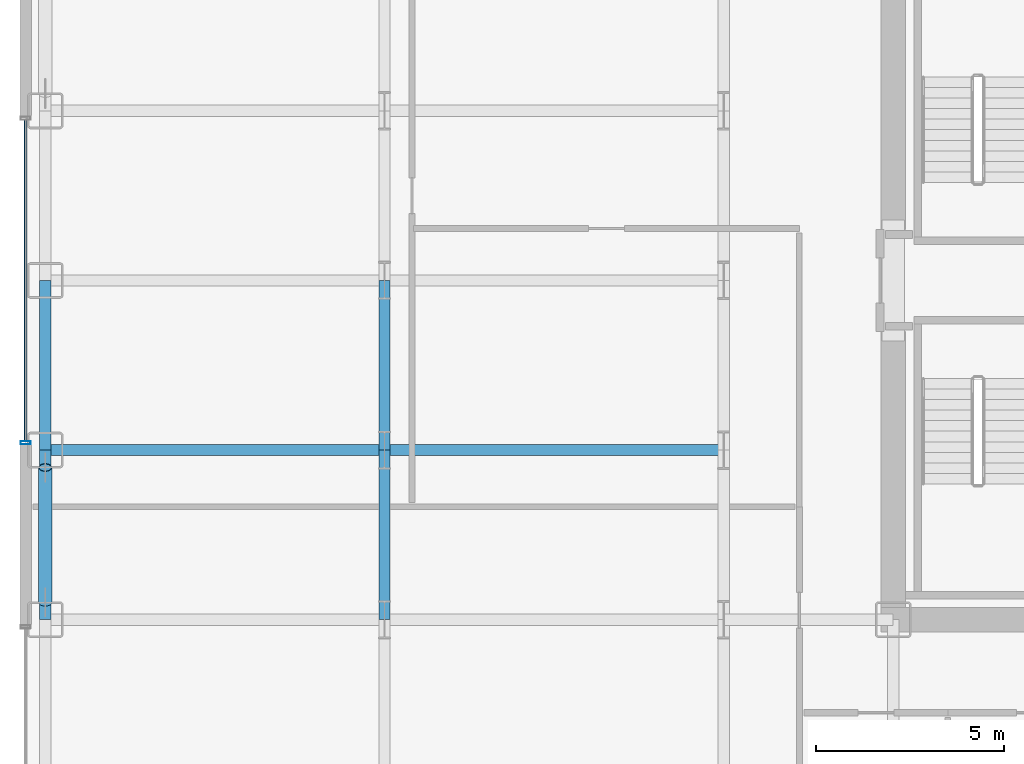
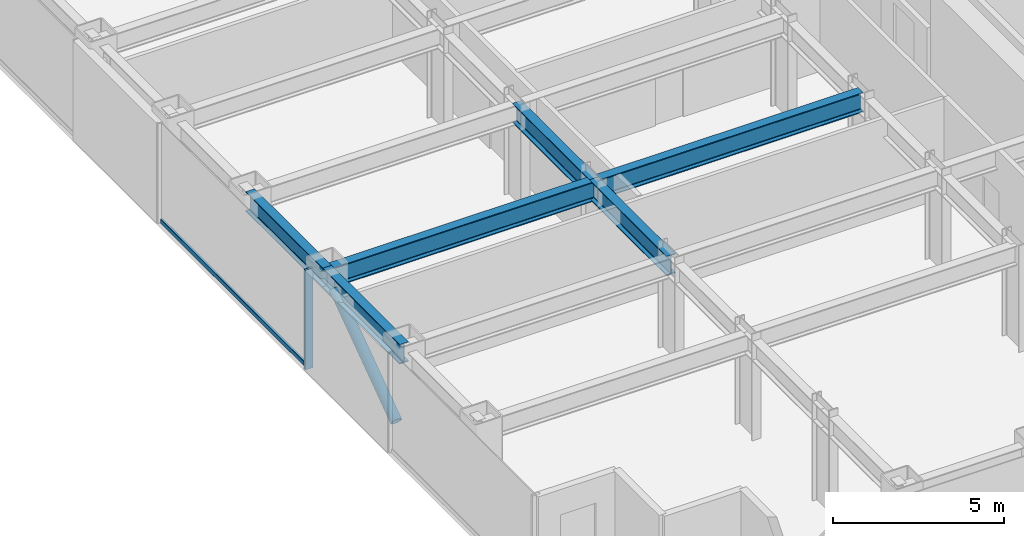
# One storey, part 5 of 29: 6 beams, 3 members, 1 element without a shape of its own.
"""IFC4 building model written with IfcOpenShell, lengths in metres."""

from ifc_helpers import new_model, si_unit, direction, frame, origin, origin_2d, place, context, subcontext, project, spatial, hollow_rectangle, hollow_circle, i_section, extrude, source, transform, mapped, material, layer, layer_set, material_profile, profile_set, type_object, element, aggregate, save


model = new_model("IFC4")

# Units and contexts
model_context = context("Model", 3, precision=1e-05, world=origin(), true_north=direction((0.0, 1.0)))
body_context = subcontext(model_context, "Body", "Model", "MODEL_VIEW")
ifc_project = project(units=[si_unit("LENGTHUNIT", "METRE"), si_unit("AREAUNIT", "SQUARE_METRE"), si_unit("VOLUMEUNIT", "CUBIC_METRE"), si_unit("PLANEANGLEUNIT", "RADIAN"), si_unit("MASSUNIT", "GRAM", prefix="KILO")], contexts=[model_context])

# Site, building, storey
site_placement = place(None, origin())
site = spatial("IfcSite", under=ifc_project, at=site_placement, CompositionType="ELEMENT")
building_placement = place(site_placement, origin())
building = spatial("IfcBuilding", under=site, at=building_placement, Name="Nefas-Gora Pilgrimage Tower", CompositionType="ELEMENT")
storey_placement = place(building_placement, frame((0.0, 0.0, 55.800048828125)))
storey = spatial("IfcBuildingStorey", under=building, at=storey_placement, Name="L12", CompositionType="ELEMENT", Elevation=55.800048828125)

# Beams
ifc_material_1 = material(Name="Steel S355", Category="steel")
ifc_material_profile_1 = material_profile(ifc_material_1, i_section(OverallWidth=0.300048828125, OverallDepth=0.699951171875, WebThickness=0.01708984375, FlangeThickness=0.031982421875, FilletRadius=0.027099609375, at=origin_2d()), Name="HEB 700")
ifc_profile_set_1 = profile_set([ifc_material_profile_1], Name="Steel S355")
beam_type_1 = type_object("IfcBeamType", Name="BM-SPN-HEB600", PredefinedType="SPANDREL", material=ifc_profile_set_1)
shared_shape_1 = source(origin(), body_context, "Body", "SweptSolid", [
    extrude(i_section(OverallWidth=0.300048828125, OverallDepth=0.699951171875, WebThickness=0.01708984375, FlangeThickness=0.031982421875, FilletRadius=0.027099609375, at=origin_2d()), origin(), (0.0, 0.0, 1.0), 4.5),
])
for number, where, z_axis, x_axis, name in (
    (1, (-33.75, -9.0, 3.199951171875), (0.0, 1.0, 0.0), (-1.0, 0.0, 0.0), "L12 SP-01 beam"),
    (2, (-33.75, -4.5, 3.199951171875), (0.0, 1.0, 0.0), (-1.0, 0.0, 0.0), "L12 SP-01 beam"),
):
    element("IfcBeam", number, at=place(storey_placement, frame(where, z_axis=z_axis, x_axis=x_axis)), inside=storey, type_object=beam_type_1, Name=name, PredefinedType="SPANDREL", context=body_context, shape_type="MappedRepresentation", body=[
        mapped(shared_shape_1, transform((0.0, 0.0, 0.0), x_axis=(1.0, 0.0, 0.0), y_axis=(0.0, 1.0, 0.0), z_axis=(0.0, 0.0, 1.0), scale=1.0)),
    ])
ifc_material_profile_2 = material_profile(ifc_material_1, i_section(OverallWidth=0.300048828125, OverallDepth=0.699951171875, WebThickness=0.01708984375, FlangeThickness=0.031982421875, FilletRadius=0.027099609375, at=origin_2d()), Name="HEB 700")
ifc_profile_set_2 = profile_set([ifc_material_profile_2], Name="Steel S355")
beam_type_2 = type_object("IfcBeamType", Name="BM-GIR-HEB700", PredefinedType="BEAM", material=ifc_profile_set_2)
shared_shape_2 = source(origin(), body_context, "Body", "SweptSolid", [
    extrude(i_section(OverallWidth=0.300048828125, OverallDepth=0.699951171875, WebThickness=0.01708984375, FlangeThickness=0.031982421875, FilletRadius=0.027099609375, at=origin_2d()), origin(), (0.0, 0.0, 1.0), 9.0),
])
for number, where, z_axis, x_axis, name in (
    (3, (-33.75, -4.5, 3.199951171875), (1.0, 0.0, 0.0), (0.0, 1.0, 0.0), "L12 G-02 beam"),
    (4, (-24.75, -4.5, 3.199951171875), (1.0, 0.0, 0.0), (0.0, 1.0, 0.0), "L12 G-02 beam"),
):
    element("IfcBeam", number, at=place(storey_placement, frame(where, z_axis=z_axis, x_axis=x_axis)), inside=storey, type_object=beam_type_2, Name=name, PredefinedType="BEAM", context=body_context, shape_type="MappedRepresentation", body=[
        mapped(shared_shape_2, transform((0.0, 0.0, 0.0), x_axis=(1.0, 0.0, 0.0), y_axis=(0.0, 1.0, 0.0), z_axis=(0.0, 0.0, 1.0), scale=1.0)),
    ])
shared_shape_3 = source(origin(), body_context, "Body", "SweptSolid", [
    extrude(i_section(OverallWidth=0.300048828125, OverallDepth=0.699951171875, WebThickness=0.01708984375, FlangeThickness=0.031982421875, FilletRadius=0.027099609375, at=origin_2d()), origin(), (0.0, 0.0, 1.0), 4.5),
])
for number, where, z_axis, x_axis, name in (
    (5, (-24.75, -9.0, 3.199951171875), (0.0, 1.0, 0.0), (-1.0, 0.0, 0.0), "L12 G-02 beam"),
    (6, (-24.75, -4.5, 3.199951171875), (0.0, 1.0, 0.0), (-1.0, 0.0, 0.0), "L12 G-02 beam"),
):
    element("IfcBeam", number, at=place(storey_placement, frame(where, z_axis=z_axis, x_axis=x_axis)), inside=storey, type_object=beam_type_2, Name=name, PredefinedType="BEAM", context=body_context, shape_type="MappedRepresentation", body=[
        mapped(shared_shape_3, transform((0.0, 0.0, 0.0), x_axis=(1.0, 0.0, 0.0), y_axis=(0.0, 1.0, 0.0), z_axis=(0.0, 0.0, 1.0), scale=1.0)),
    ])

# Member
ifc_material_2 = material(Name="Steel S460", Category="steel")
ifc_material_profile_3 = material_profile(ifc_material_2, hollow_circle(Radius=0.177734375, WallThickness=0.02001953125, at=origin_2d()), Name="CHS 355.6x20")
ifc_profile_set_3 = profile_set([ifc_material_profile_3], Name="Steel S460")
member_type_1 = type_object("IfcMemberType", Name="MEM-TUBE-356", PredefinedType="BRACE", material=ifc_profile_set_3)
shared_shape_4 = source(origin(), body_context, "Body", "SweptSolid", [
    extrude(hollow_circle(Radius=0.177734375, WallThickness=0.02001953125, at=origin_2d()), origin(), (0.0, 0.0, 1.0), 4.39501953125),
])
member_1_placement = place(storey_placement, frame((-33.75, -8.537109375, 0.481201171875), z_axis=(0.0, 0.813264026864, 0.581894855287), x_axis=(-1.0, 0.0, 0.0)))
element("IfcMember", 7, at=member_1_placement, inside=storey, type_object=member_type_1, Name="L12 Perimeter Tube Diagonal Brace W1", PredefinedType="BRACE", context=body_context, shape_type="MappedRepresentation", body=[
    mapped(shared_shape_4, transform((0.0, 0.0, 0.0), x_axis=(1.0, 0.0, 0.0), y_axis=(0.0, 1.0, 0.0), z_axis=(0.0, 0.0, 1.0), scale=1.0)),
])

# Curtain wall, members
ifc_material_3 = material(Name="Dark ceramic-fritted solar-control aluminium-glass curtain wall", Category="aluminium")
ifc_layer = layer(ifc_material_3, 0.219970703125)
ifc_layer_set = layer_set([ifc_layer], Name="Dark ceramic-fritted solar-control aluminium-glass curtain wall")
curtain_wall_type = type_object("IfcCurtainWallType", Name="CW-SYS-2", PredefinedType="NOTDEFINED", material=ifc_layer_set)
curtain_wall_placement = place(storey_placement, origin())
curtain_wall = element("IfcCurtainWall", 8, at=curtain_wall_placement, inside=storey, type_object=curtain_wall_type, Name="L12 Unitised Curtain Wall CW2", PredefinedType="NOTDEFINED")
ifc_material_4 = material(Name="Anodised architectural aluminium", Category="aluminium")
ifc_material_profile_4 = material_profile(ifc_material_4, hollow_rectangle(XDim=0.090087890625, YDim=0.260009765625, WallThickness=0.006103515625, InnerFilletRadius=0.006103515625, OuterFilletRadius=0.011962890625, at=origin_2d()), Name="ALU MULLION 90x260")
ifc_profile_set_4 = profile_set([ifc_material_profile_4], Name="Anodised architectural aluminium")
member_type_2 = type_object("IfcMemberType", Name="CWM-MUL-2", PredefinedType="MULLION", material=ifc_profile_set_4)
shared_shape_5 = source(origin(), body_context, "Body", "SweptSolid", [
    extrude(hollow_rectangle(XDim=0.090087890625, YDim=0.260009765625, WallThickness=0.006103515625, InnerFilletRadius=0.006103515625, OuterFilletRadius=0.011962890625, at=origin_2d()), origin(), (0.0, 0.0, 1.0), 3.550048828125),
])
member_2_placement = place(storey_placement, frame((-34.27001953125, -4.304931640625, 0.0), z_axis=(0.0, 0.0, 1.0), x_axis=(0.0, -1.0, 0.0)))
member_2 = element("IfcMember", 9, at=member_2_placement, type_object=member_type_2, Name="CW2 Mullion 2", PredefinedType="MULLION", context=body_context, shape_type="MappedRepresentation", body=[
    mapped(shared_shape_5, transform((0.0, 0.0, 0.0), x_axis=(1.0, 0.0, 0.0), y_axis=(0.0, 1.0, 0.0), z_axis=(0.0, 0.0, 1.0), scale=1.0)),
])
ifc_material_profile_5 = material_profile(ifc_material_4, hollow_rectangle(XDim=0.080078125, YDim=0.159912109375, WallThickness=0.00439453125, InnerFilletRadius=0.00439453125, OuterFilletRadius=0.009033203125, at=origin_2d()), Name="ALU TRANSOM 80x160")
ifc_profile_set_5 = profile_set([ifc_material_profile_5], Name="Anodised architectural aluminium")
member_type_3 = type_object("IfcMemberType", Name="CWM-TRN-2", PredefinedType="USERDEFINED", material=ifc_profile_set_5)
shared_shape_6 = source(origin(), body_context, "Body", "SweptSolid", [
    extrude(hollow_rectangle(XDim=0.080078125, YDim=0.159912109375, WallThickness=0.00439453125, InnerFilletRadius=0.00439453125, OuterFilletRadius=0.009033203125, at=origin_2d()), origin(), (0.0, 0.0, 1.0), 8.52001953125),
])
member_3_placement = place(storey_placement, frame((-34.27001953125, 4.260009765625, 0.050048828125), z_axis=(0.0, -1.0, 0.0), x_axis=(1.0, 0.0, 0.0)))
member_3 = element("IfcMember", 10, at=member_3_placement, type_object=member_type_3, Name="CW2 Spandrel Transom", ObjectType="TRANSOM", PredefinedType="USERDEFINED", context=body_context, shape_type="MappedRepresentation", body=[
    mapped(shared_shape_6, transform((0.0, 0.0, 0.0), x_axis=(1.0, 0.0, 0.0), y_axis=(0.0, 1.0, 0.0), z_axis=(0.0, 0.0, 1.0), scale=1.0)),
])
aggregate(curtain_wall, [member_2, member_3])

save(model, "model.ifc")
